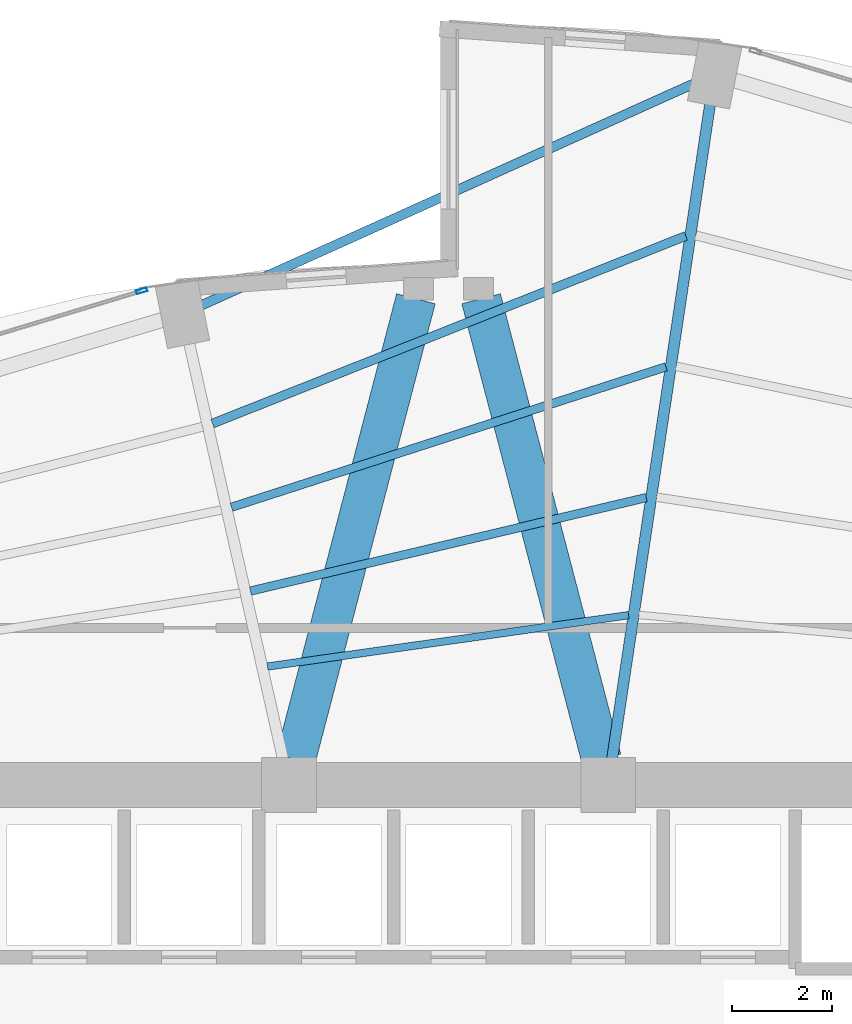
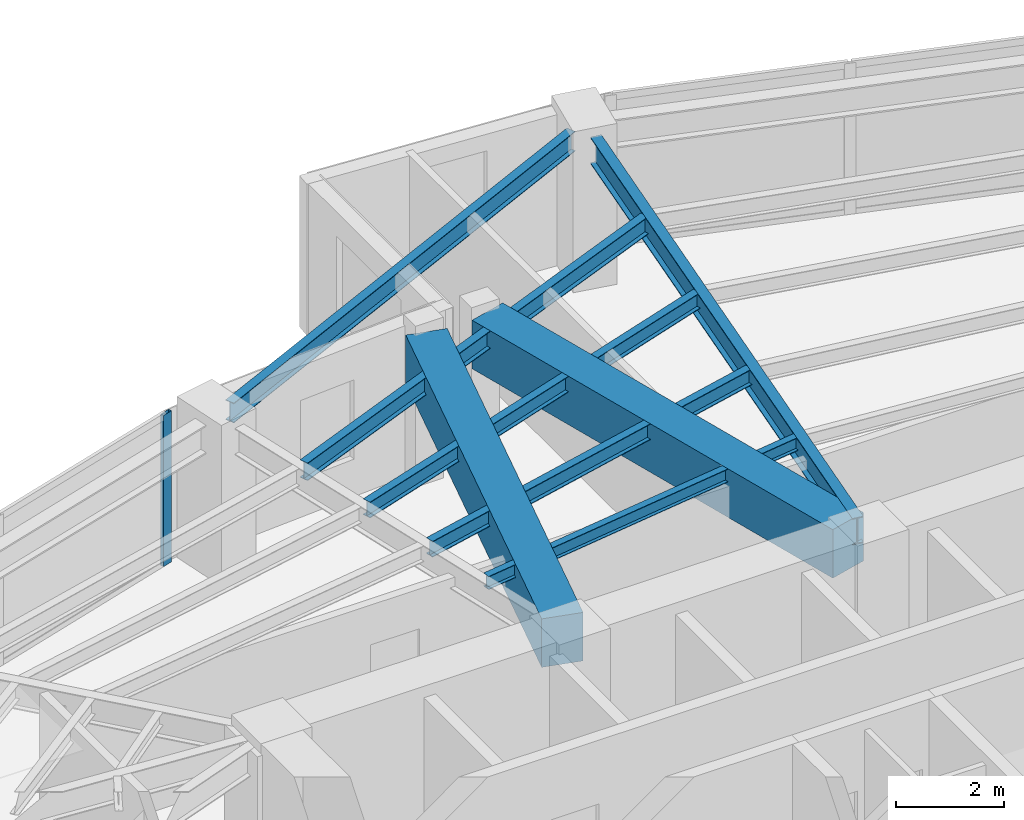
# One storey, part 15 of 24: 8 beams, 1 member, 1 element without a shape of its own.
"""IFC4 building model written with IfcOpenShell, lengths in metres."""

from ifc_helpers import new_model, si_unit, direction, frame, origin, origin_2d, place, context, subcontext, project, spatial, rectangle, hollow_rectangle, i_section, extrude, material, layer, layer_set, material_profile, profile_set, type_object, element, aggregate, save


model = new_model("IFC4")

# Units and contexts
model_context = context("Model", 3, precision=1e-05, world=origin(), true_north=direction((0.0, 1.0)))
body_context = subcontext(model_context, "Body", "Model", "MODEL_VIEW")
ifc_project = project(units=[si_unit("LENGTHUNIT", "METRE"), si_unit("AREAUNIT", "SQUARE_METRE"), si_unit("VOLUMEUNIT", "CUBIC_METRE"), si_unit("PLANEANGLEUNIT", "RADIAN"), si_unit("MASSUNIT", "GRAM", prefix="KILO")], contexts=[model_context])

# Site, building, storey
site_placement = place(None, origin())
site = spatial("IfcSite", under=ifc_project, at=site_placement, CompositionType="ELEMENT")
building_placement = place(site_placement, origin())
building = spatial("IfcBuilding", under=site, at=building_placement, Name="Lazwardi Medical Tower", CompositionType="ELEMENT")
storey_placement = place(building_placement, frame((0.0, 0.0, 61.679931640625)))
storey = spatial("IfcBuildingStorey", under=building, at=storey_placement, Name="L15", CompositionType="ELEMENT", Elevation=61.679931640625)

# Beams
ifc_material_1 = material(Name="Concrete C70/85", Category="concrete")
ifc_material_profile_1 = material_profile(ifc_material_1, rectangle(XDim=0.800048828125, YDim=1.10009765625, at=origin_2d()), Name="RC 800x1100")
ifc_profile_set_1 = profile_set([ifc_material_profile_1], Name="Concrete C70/85")
beam_type_1 = type_object("IfcBeamType", Name="BM-CB-RC1", PredefinedType="LINTEL", material=ifc_profile_set_1)
for number, where, z_axis, x_axis, name in (
    (1, (32.935302734375, 36.11767578125, 2.878173828125), (0.252819877511, 0.967513364009, 0.0), (-0.967513364009, 0.252819877511, 0.0), "Core coupling lintel CB-01 PL1 L15"),
    (2, (39.064697265625, 36.11767578125, 2.878173828125), (-0.252819877511, 0.967513364009, 0.0), (-0.967513364009, -0.252819877511, 0.0), "Core coupling lintel CB-01 PL2 L15"),
):
    element("IfcBeam", number, at=place(storey_placement, frame(where, z_axis=z_axis, x_axis=x_axis)), inside=storey, type_object=beam_type_1, Name=name, PredefinedType="LINTEL", context=body_context, shape_type="SweptSolid", body=[
        extrude(rectangle(XDim=0.800048828125, YDim=1.10009765625, at=origin_2d()), origin(), (0.0, 0.0, 1.0), 9.538818359375),
    ])
ifc_material_2 = material(Name="Steel S355", Category="steel")
ifc_material_profile_2 = material_profile(ifc_material_2, i_section(OverallWidth=0.219970703125, OverallDepth=0.60009765625, WebThickness=0.011962890625, FlangeThickness=0.01904296875, at=origin_2d()), Name="IPE 600")
ifc_profile_set_2 = profile_set([ifc_material_profile_2], Name="Steel S355")
beam_type_2 = type_object("IfcBeamType", Name="BM-RG-W1", PredefinedType="BEAM", material=ifc_profile_set_2)
beam_1_placement = place(storey_placement, frame((41.2451171875, 49.2705078125, 3.128173828125), z_axis=(-0.147944218183, -0.98899570692, 0.0), x_axis=(0.98899570692, -0.147944218183, 0.0)))
element("IfcBeam", 3, at=beam_1_placement, inside=storey, type_object=beam_type_2, Name="Radial girder RG-02 R08 L15", PredefinedType="BEAM", context=body_context, shape_type="SweptSolid", body=[
    extrude(i_section(OverallWidth=0.219970703125, OverallDepth=0.60009765625, WebThickness=0.011962890625, FlangeThickness=0.01904296875, at=origin_2d()), origin(), (0.0, 0.0, 1.0), 13.28759765625),
])
ifc_material_profile_3 = material_profile(ifc_material_2, i_section(OverallWidth=0.179931640625, OverallDepth=0.39990234375, WebThickness=0.008544921875, FlangeThickness=0.013427734375, at=origin_2d()), Name="IPE 400")
ifc_profile_set_3 = profile_set([ifc_material_profile_3], Name="Steel S355")
beam_type_3 = type_object("IfcBeamType", Name="BM-SJ-01", PredefinedType="JOIST", material=ifc_profile_set_3)
beam_2_placement = place(storey_placement, frame((40.754150390625, 46.603515625, 3.22802734375), z_axis=(-0.929663713752, -0.368409255222, 0.0), x_axis=(0.368409255222, -0.929663713752, 0.0)))
element("IfcBeam", 4, at=beam_2_placement, inside=storey, type_object=beam_type_3, Name="Secondary joist SJ-01 R1 B08 L15", PredefinedType="JOIST", context=body_context, shape_type="SweptSolid", body=[
    extrude(i_section(OverallWidth=0.179931640625, OverallDepth=0.39990234375, WebThickness=0.008544921875, FlangeThickness=0.013427734375, at=origin_2d()), origin(), (0.0, 0.0, 1.0), 10.2001953125),
])
ifc_material_profile_4 = material_profile(ifc_material_2, i_section(OverallWidth=0.169921875, OverallDepth=0.360107421875, WebThickness=0.008056640625, FlangeThickness=0.0126953125, at=origin_2d()), Name="IPE 360")
ifc_profile_set_4 = profile_set([ifc_material_profile_4], Name="Steel S355")
beam_type_4 = type_object("IfcBeamType", Name="BM-SJ-02", PredefinedType="JOIST", material=ifc_profile_set_4)
beam_3_placement = place(storey_placement, frame((40.35888671875, 43.981689453125, 3.248046875), z_axis=(-0.951558895485, -0.307466532199, 0.0), x_axis=(0.307466532199, -0.951558895485, 0.0)))
element("IfcBeam", 5, at=beam_3_placement, inside=storey, type_object=beam_type_4, Name="Secondary joist SJ-02 R2 B08 L15", PredefinedType="JOIST", context=body_context, shape_type="SweptSolid", body=[
    extrude(i_section(OverallWidth=0.169921875, OverallDepth=0.360107421875, WebThickness=0.008056640625, FlangeThickness=0.0126953125, at=origin_2d()), origin(), (0.0, 0.0, 1.0), 9.1513671875),
])
beam_4_placement = place(storey_placement, frame((39.96337890625, 41.361572265625, 3.248046875), z_axis=(-0.973240904247, -0.229787167397, 0.0), x_axis=(0.229787167397, -0.973240904247, 0.0)))
element("IfcBeam", 6, at=beam_4_placement, inside=storey, type_object=beam_type_4, Name="Secondary joist SJ-02 R3 B08 L15", PredefinedType="JOIST", context=body_context, shape_type="SweptSolid", body=[
    extrude(i_section(OverallWidth=0.169921875, OverallDepth=0.360107421875, WebThickness=0.008056640625, FlangeThickness=0.0126953125, at=origin_2d()), origin(), (0.0, 0.0, 1.0), 8.151123046875),
])
ifc_material_profile_5 = material_profile(ifc_material_2, i_section(OverallWidth=0.14990234375, OverallDepth=0.300048828125, WebThickness=0.007080078125, FlangeThickness=0.0107421875, at=origin_2d()), Name="IPE 300")
ifc_profile_set_5 = profile_set([ifc_material_profile_5], Name="Steel S355")
beam_type_5 = type_object("IfcBeamType", Name="BM-SJ-03", PredefinedType="JOIST", material=ifc_profile_set_5)
beam_5_placement = place(storey_placement, frame((39.607666015625, 39.00537109375, 3.278076171875), z_axis=(-0.99001552228, -0.140958382672, 0.0), x_axis=(0.140958382672, -0.99001552228, 0.0)))
element("IfcBeam", 7, at=beam_5_placement, inside=storey, type_object=beam_type_5, Name="Secondary joist SJ-03 R4 B08 L15", PredefinedType="JOIST", context=body_context, shape_type="SweptSolid", body=[
    extrude(i_section(OverallWidth=0.14990234375, OverallDepth=0.300048828125, WebThickness=0.007080078125, FlangeThickness=0.0107421875, at=origin_2d()), origin(), (0.0, 0.0, 1.0), 7.30908203125),
])
ifc_material_profile_6 = material_profile(ifc_material_2, i_section(OverallWidth=0.18994140625, OverallDepth=0.449951171875, WebThickness=0.009521484375, FlangeThickness=0.0146484375, at=origin_2d()), Name="IPE 450")
ifc_profile_set_6 = profile_set([ifc_material_profile_6], Name="Steel S355")
beam_type_6 = type_object("IfcBeamType", Name="BM-SP-01", PredefinedType="SPANDREL", material=ifc_profile_set_6)
beam_6_placement = place(storey_placement, frame((40.94775390625, 49.671630859375, 3.203125), z_axis=(-0.91184908894, -0.410525564368, 0.0), x_axis=(0.410525564368, -0.91184908894, 0.0)))
element("IfcBeam", 8, at=beam_6_placement, inside=storey, type_object=beam_type_6, Name="Spandrel beam SP-01 B08 L15", PredefinedType="SPANDREL", context=body_context, shape_type="SweptSolid", body=[
    extrude(i_section(OverallWidth=0.18994140625, OverallDepth=0.449951171875, WebThickness=0.009521484375, FlangeThickness=0.0146484375, at=origin_2d()), origin(), (0.0, 0.0, 1.0), 10.85205078125),
])

# Curtain wall, member
ifc_material_3 = material(Name="Anodised bronze aluminium and solar control glazing", Category="aluminium")
ifc_layer = layer(ifc_material_3, 0.199951171875)
ifc_layer_set = layer_set([ifc_layer], Name="Anodised bronze aluminium and solar control glazing")
curtain_wall_type = type_object("IfcCurtainWallType", Name="CW-SYS-02", PredefinedType="NOTDEFINED", material=ifc_layer_set)
curtain_wall_placement = place(storey_placement, origin())
curtain_wall = element("IfcCurtainWall", 9, at=curtain_wall_placement, inside=storey, type_object=curtain_wall_type, Name="L15 Unitised bronze curtain wall CW-02", PredefinedType="NOTDEFINED")
ifc_material_4 = material(Name="Anodised bronze aluminium", Category="aluminium")
ifc_material_profile_7 = material_profile(ifc_material_4, hollow_rectangle(XDim=0.074951171875, YDim=0.219970703125, WallThickness=0.00390625, at=origin_2d()), Name="ALU-MULLION 220x75x4")
ifc_profile_set_7 = profile_set([ifc_material_profile_7], Name="Anodised bronze aluminium")
member_type = type_object("IfcMemberType", Name="CW-MUL-01", PredefinedType="MULLION", material=ifc_profile_set_7)
member_placement = place(storey_placement, frame((29.85205078125, 45.503662109375, 0.0), z_axis=(0.0, 0.0, 1.0), x_axis=(0.2898956909, -0.957058247129, 0.0)))
member = element("IfcMember", 10, at=member_placement, type_object=member_type, Name="CW-02 mullion 1", PredefinedType="MULLION", context=body_context, shape_type="SweptSolid", body=[
    extrude(hollow_rectangle(XDim=0.074951171875, YDim=0.219970703125, WallThickness=0.00390625, at=origin_2d()), origin(), (0.0, 0.0, 1.0), 3.427978515625),
])
aggregate(curtain_wall, [member])

save(model, "model.ifc")
